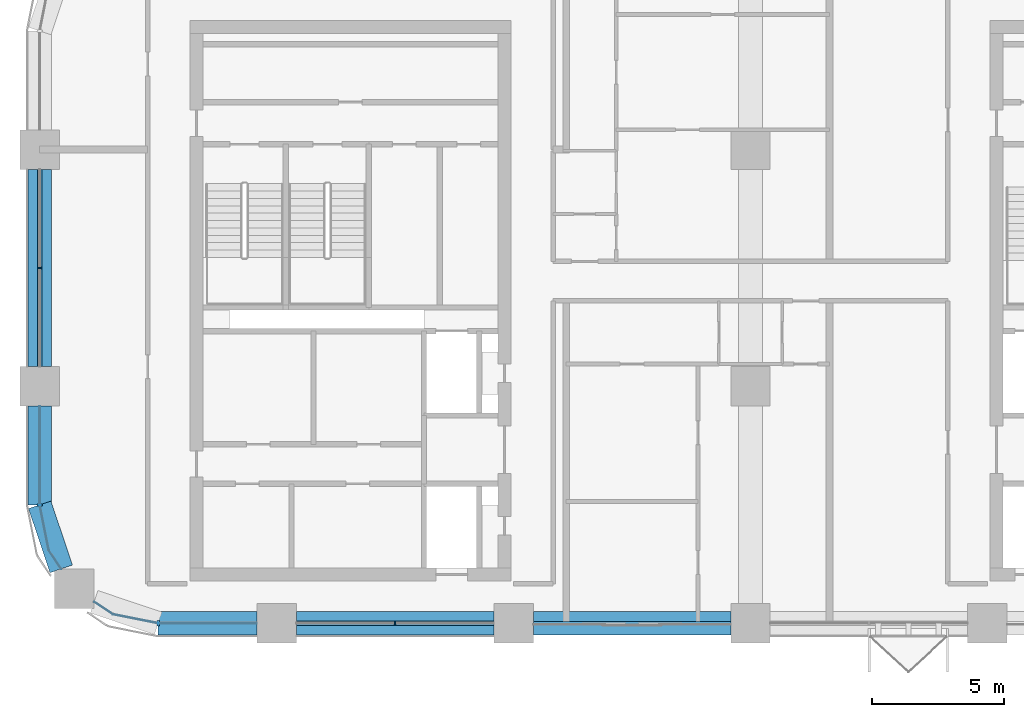
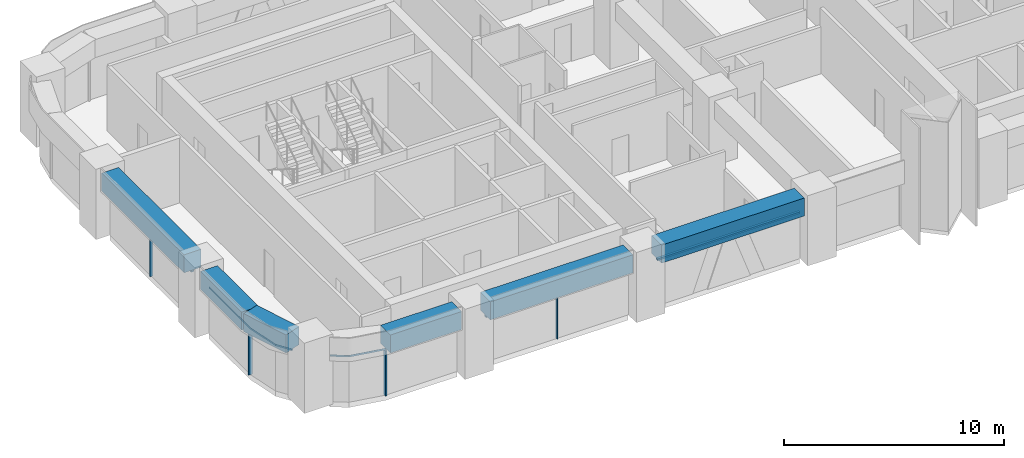
# One storey, part 2 of 14: 9 members, 6 beams, 5 elements without a shape of their own.
"""IFC4 building model written with IfcOpenShell, lengths in metres."""

from ifc_helpers import new_model, si_unit, direction, frame, origin, origin_2d, place, context, subcontext, project, spatial, polyline, rectangle, outline, extrude, material, material_profile, profile_set, type_object, element, aggregate, save


model = new_model("IFC4")

# Units and contexts
model_context = context("Model", 3, precision=1e-05, world=origin(), true_north=direction((0.0, 1.0)))
body_context = subcontext(model_context, "Body", "Model", "MODEL_VIEW")
ifc_project = project(units=[si_unit("LENGTHUNIT", "METRE"), si_unit("AREAUNIT", "SQUARE_METRE"), si_unit("VOLUMEUNIT", "CUBIC_METRE"), si_unit("PLANEANGLEUNIT", "RADIAN"), si_unit("MASSUNIT", "GRAM", prefix="KILO")], contexts=[model_context])

# Site, building, storey
site_placement = place(None, origin())
site = spatial("IfcSite", under=ifc_project, at=site_placement, CompositionType="ELEMENT")
building_placement = place(site_placement, origin())
building = spatial("IfcBuilding", under=site, at=building_placement, Name="Tessera Arch", CompositionType="ELEMENT")
storey_placement = place(building_placement, frame((0.0, 0.0, 134.89990234375)))
storey = spatial("IfcBuildingStorey", under=building, at=storey_placement, Name="L31", CompositionType="ELEMENT", Elevation=134.89990234375)

# Curtain wall, member
ifc_material_1 = material(Name="CW1 curtain wall")
curtain_wall_type_1 = type_object("IfcCurtainWallType", Name="CW1 curtain wall", PredefinedType="NOTDEFINED", material=ifc_material_1)
curtain_wall_1_placement = place(storey_placement, origin())
curtain_wall_1 = element("IfcCurtainWall", 1, at=curtain_wall_1_placement, inside=storey, type_object=curtain_wall_type_1, Name="CW1 curtain wall W0.27/1 L31", PredefinedType="NOTDEFINED")
ifc_material_2 = material(Name="Anodised aluminium pale metal", Category="aluminium")
ifc_material_profile_1 = material_profile(ifc_material_2, rectangle(XDim=0.159912109375, YDim=0.06005859375, at=origin_2d()), Name="AL 60x160")
ifc_profile_set_1 = profile_set([ifc_material_profile_1], Name="Anodised aluminium pale metal")
member_type_1 = type_object("IfcMemberType", Name="CW1 mullion", PredefinedType="MULLION", material=ifc_profile_set_1)
member_1_placement = place(storey_placement, frame((0.0, 40.5, 0.0), z_axis=(0.0, 0.0, 1.0), x_axis=(1.0, 0.0, 0.0)))
member_1 = element("IfcMember", 2, at=member_1_placement, type_object=member_type_1, Name="CW1 mullion W0.27/1 1", PredefinedType="MULLION", context=body_context, shape_type="SweptSolid", body=[
    extrude(rectangle(XDim=0.159912109375, YDim=0.06005859375, at=origin_2d()), origin(), (0.0, 0.0, 1.0), 2.5),
])

curtain_wall_2_placement = place(storey_placement, origin())
curtain_wall_2 = element("IfcCurtainWall", 3, at=curtain_wall_2_placement, inside=storey, type_object=curtain_wall_type_1, Name="CW1 curtain wall S27.0/1 L31", PredefinedType="NOTDEFINED")
member_2_placement = place(storey_placement, frame((13.5, 27.0, 0.0), z_axis=(0.0, 0.0, 1.0), x_axis=(0.0, 1.0, 0.0)))
member_2 = element("IfcMember", 4, at=member_2_placement, type_object=member_type_1, Name="CW1 mullion S27.0/1 1", PredefinedType="MULLION", context=body_context, shape_type="SweptSolid", body=[
    extrude(rectangle(XDim=0.159912109375, YDim=0.06005859375, at=origin_2d()), origin(), (0.0, 0.0, 1.0), 2.5),
])

# Member
ifc_material_3 = material(Name="Anodised aluminium pale metal", Category="aluminium")
ifc_material_profile_2 = material_profile(ifc_material_3, rectangle(XDim=0.159912109375, YDim=0.10009765625, at=origin_2d()), Name="AL 160x100")
ifc_profile_set_2 = profile_set([ifc_material_profile_2], Name="Anodised aluminium pale metal")
member_type_2 = type_object("IfcMemberType", Name="CW1 transom", PredefinedType="USERDEFINED", material=ifc_profile_set_2)
member_3_placement = place(storey_placement, frame((0.0, 44.25, 2.550048828125), z_axis=(0.0, -1.0, 0.0), x_axis=(1.0, 0.0, 0.0)))
member_3 = element("IfcMember", 5, at=member_3_placement, type_object=member_type_2, Name="CW1 transom W0.27/1 1.1", ObjectType="TRANSOM", PredefinedType="USERDEFINED", context=body_context, shape_type="SweptSolid", body=[
    extrude(rectangle(XDim=0.159912109375, YDim=0.10009765625, at=origin_2d()), origin(), (0.0, 0.0, 1.0), 7.5),
])

aggregate(curtain_wall_1, [member_1, member_3])

member_4_placement = place(storey_placement, frame((9.75, 27.0, 2.550048828125), z_axis=(1.0, 0.0, 0.0), x_axis=(0.0, 1.0, 0.0)))
member_4 = element("IfcMember", 6, at=member_4_placement, type_object=member_type_2, Name="CW1 transom S27.0/1 1.1", ObjectType="TRANSOM", PredefinedType="USERDEFINED", context=body_context, shape_type="SweptSolid", body=[
    extrude(rectangle(XDim=0.159912109375, YDim=0.10009765625, at=origin_2d()), origin(), (0.0, 0.0, 1.0), 7.5),
])

aggregate(curtain_wall_2, [member_2, member_4])

# Curtain wall, member
ifc_material_4 = material(Name="CW2 curtain wall")
curtain_wall_type_2 = type_object("IfcCurtainWallType", Name="CW2 curtain wall", PredefinedType="NOTDEFINED", material=ifc_material_4)
curtain_wall_3_placement = place(storey_placement, origin())
curtain_wall_3 = element("IfcCurtainWall", 7, at=curtain_wall_3_placement, inside=storey, type_object=curtain_wall_type_2, Name="CW2 curtain wall W0.27/2 L31", PredefinedType="NOTDEFINED")
ifc_material_5 = material(Name="Anodised aluminium pale metal", Category="aluminium")
ifc_material_profile_3 = material_profile(ifc_material_5, rectangle(XDim=0.199951171875, YDim=0.080078125, at=origin_2d()), Name="AL 80x200")
ifc_profile_set_3 = profile_set([ifc_material_profile_3], Name="Anodised aluminium pale metal")
member_type_3 = type_object("IfcMemberType", Name="CW2 mullion", PredefinedType="MULLION", material=ifc_profile_set_3)
member_5_placement = place(storey_placement, frame((0.0, 31.5, 0.0), z_axis=(0.0, 0.0, 1.0), x_axis=(1.0, 0.0, 0.0)))
member_5 = element("IfcMember", 8, at=member_5_placement, type_object=member_type_3, Name="CW2 mullion W0.27/2 1", PredefinedType="MULLION", context=body_context, shape_type="SweptSolid", body=[
    extrude(rectangle(XDim=0.199951171875, YDim=0.080078125, at=origin_2d()), origin(), (0.0, 0.0, 1.0), 2.5),
])

curtain_wall_4_placement = place(storey_placement, origin())
curtain_wall_4 = element("IfcCurtainWall", 9, at=curtain_wall_4_placement, inside=storey, type_object=curtain_wall_type_2, Name="CW2 curtain wall S27.0/0 L31", PredefinedType="NOTDEFINED")
member_6_placement = place(storey_placement, frame((4.5, 27.0, 0.0), z_axis=(0.0, 0.0, 1.0), x_axis=(0.0, 1.0, 0.0)))
member_6 = element("IfcMember", 10, at=member_6_placement, type_object=member_type_3, Name="CW2 mullion S27.0/0 1", PredefinedType="MULLION", context=body_context, shape_type="SweptSolid", body=[
    extrude(rectangle(XDim=0.199951171875, YDim=0.080078125, at=origin_2d()), origin(), (0.0, 0.0, 1.0), 2.5),
])

# Member
ifc_material_6 = material(Name="Anodised aluminium pale metal", Category="aluminium")
ifc_material_profile_4 = material_profile(ifc_material_6, rectangle(XDim=0.199951171875, YDim=0.10009765625, at=origin_2d()), Name="AL 200x100")
ifc_profile_set_4 = profile_set([ifc_material_profile_4], Name="Anodised aluminium pale metal")
member_type_4 = type_object("IfcMemberType", Name="CW2 transom", PredefinedType="USERDEFINED", material=ifc_profile_set_4)
member_7_placement = place(storey_placement, frame((0.0, 0.0, 2.5)))
member_7 = element("IfcMember", 11, at=member_7_placement, type_object=member_type_4, Name="CW2 transom W0.27/2 1", ObjectType="TRANSOM", PredefinedType="USERDEFINED", context=body_context, shape_type="SweptSolid", body=[
    extrude(outline(polyline([(0.010009765625, 31.5009765625), (0.010009765625, 35.25), (-0.010009765625, 35.25), (-0.010009765625, 31.4990234375), (0.3330078125, 29.77392578125), (0.80859375, 29.0625), (0.8251953125, 29.073486328125), (0.351806640625, 29.78173828125), (0.010009765625, 31.5009765625)])), origin(), (0.0, 0.0, 1.0), 0.10009765625),
])

aggregate(curtain_wall_3, [member_5, member_7])

member_8_placement = place(storey_placement, frame((0.0, 0.0, 2.5)))
member_8 = element("IfcMember", 12, at=member_8_placement, type_object=member_type_4, Name="CW2 transom S27.0/0 1", ObjectType="TRANSOM", PredefinedType="USERDEFINED", context=body_context, shape_type="SweptSolid", body=[
    extrude(outline(polyline([(2.78173828125, 27.351806640625), (2.073486328125, 27.8251953125), (2.0625, 27.80859375), (2.77392578125, 27.3330078125), (4.4990234375, 26.989990234375), (8.25, 26.989990234375), (8.25, 27.010009765625), (4.5009765625, 27.010009765625), (2.78173828125, 27.351806640625)])), origin(), (0.0, 0.0, 1.0), 0.10009765625),
])

aggregate(curtain_wall_4, [member_6, member_8])

# Curtain wall, member
ifc_material_7 = material(Name="CW3 curtain wall")
curtain_wall_type_3 = type_object("IfcCurtainWallType", Name="CW3 curtain wall", PredefinedType="NOTDEFINED", material=ifc_material_7)
curtain_wall_5_placement = place(storey_placement, origin())
curtain_wall_5 = element("IfcCurtainWall", 13, at=curtain_wall_5_placement, inside=storey, type_object=curtain_wall_type_3, Name="CW3 curtain wall S27.0/2 L31", PredefinedType="NOTDEFINED")
ifc_material_8 = material(Name="Anodised aluminium pale metal", Category="aluminium")
ifc_material_profile_5 = material_profile(ifc_material_8, rectangle(XDim=0.139892578125, YDim=0.10009765625, at=origin_2d()), Name="AL 140x100")
ifc_profile_set_5 = profile_set([ifc_material_profile_5], Name="Anodised aluminium pale metal")
member_type_5 = type_object("IfcMemberType", Name="CW3 transom", PredefinedType="USERDEFINED", material=ifc_profile_set_5)
member_9_placement = place(storey_placement, frame((18.75, 27.0, 2.550048828125), z_axis=(1.0, 0.0, 0.0), x_axis=(0.0, 1.0, 0.0)))
member_9 = element("IfcMember", 14, at=member_9_placement, type_object=member_type_5, Name="CW3 transom S27.0/2 1.1", ObjectType="TRANSOM", PredefinedType="USERDEFINED", context=body_context, shape_type="SweptSolid", body=[
    extrude(rectangle(XDim=0.139892578125, YDim=0.10009765625, at=origin_2d()), origin(), (0.0, 0.0, 1.0), 7.5),
])
aggregate(curtain_wall_5, [member_9])

# Beams
ifc_material_9 = material(Name="Concrete C70/85", Category="concrete")
ifc_material_profile_6 = material_profile(ifc_material_9, rectangle(XDim=0.89990234375, YDim=1.0, at=origin_2d()), Name="RC spandrel beam 900 x 1000 Concrete C70/85")
ifc_profile_set_6 = profile_set([ifc_material_profile_6], Name="Concrete C70/85")
beam_type = type_object("IfcBeamType", Name="RC spandrel beam 900 x 1000 Concrete C70/85", PredefinedType="BEAM", material=ifc_profile_set_6)
beam_1_placement = place(storey_placement, frame((0.0, 44.25, 3.10009765625), z_axis=(0.0, -1.0, 0.0), x_axis=(1.0, 0.0, 0.0)))
element("IfcBeam", 15, at=beam_1_placement, inside=storey, type_object=beam_type, Name="Spandrel beam L31 W0.27/1", PredefinedType="BEAM", context=body_context, shape_type="SweptSolid", body=[
    extrude(rectangle(XDim=0.89990234375, YDim=1.0, at=origin_2d()), origin(), (0.0, 0.0, 1.0), 7.5),
])
beam_2_placement = place(storey_placement, frame((0.0, 35.25, 3.10009765625), z_axis=(0.0, -1.0, 0.0), x_axis=(1.0, 0.0, 0.0)))
element("IfcBeam", 16, at=beam_2_placement, inside=storey, type_object=beam_type, Name="Spandrel beam L31 W0.27/2.1", PredefinedType="BEAM", context=body_context, shape_type="SweptSolid", body=[
    extrude(rectangle(XDim=0.89990234375, YDim=1.0, at=origin_2d()), origin(), (0.0, 0.0, 1.0), 3.75),
])
beam_3_placement = place(storey_placement, frame((0.0, 31.5, 3.10009765625), z_axis=(0.31842525032, -0.947947973234, 0.0), x_axis=(0.947947973234, 0.31842525032, 0.0)))
element("IfcBeam", 17, at=beam_3_placement, inside=storey, type_object=beam_type, Name="Spandrel beam L31 W0.27/2.2", PredefinedType="BEAM", context=body_context, shape_type="SweptSolid", body=[
    extrude(rectangle(XDim=0.89990234375, YDim=1.0, at=origin_2d()), origin(), (0.0, 0.0, 1.0), 2.5654296875),
])
beam_4_placement = place(storey_placement, frame((4.5, 27.0, 3.10009765625), z_axis=(1.0, 0.0, 0.0), x_axis=(0.0, 1.0, 0.0)))
element("IfcBeam", 18, at=beam_4_placement, inside=storey, type_object=beam_type, Name="Spandrel beam L31 S27.0/0.2", PredefinedType="BEAM", context=body_context, shape_type="SweptSolid", body=[
    extrude(rectangle(XDim=0.89990234375, YDim=1.0, at=origin_2d()), origin(), (0.0, 0.0, 1.0), 3.75),
])
for number, where, z_axis, x_axis, name in (
    (19, (9.75, 27.0, 3.10009765625), (1.0, 0.0, 0.0), (0.0, 1.0, 0.0), "Spandrel beam L31 S27.0/1"),
    (20, (18.75, 27.0, 3.10009765625), (1.0, 0.0, 0.0), (0.0, 1.0, 0.0), "Spandrel beam L31 S27.0/2"),
):
    element("IfcBeam", number, at=place(storey_placement, frame(where, z_axis=z_axis, x_axis=x_axis)), inside=storey, type_object=beam_type, Name=name, PredefinedType="BEAM", context=body_context, shape_type="SweptSolid", body=[
        extrude(rectangle(XDim=0.89990234375, YDim=1.0, at=origin_2d()), origin(), (0.0, 0.0, 1.0), 7.5),
    ])

save(model, "model.ifc")
